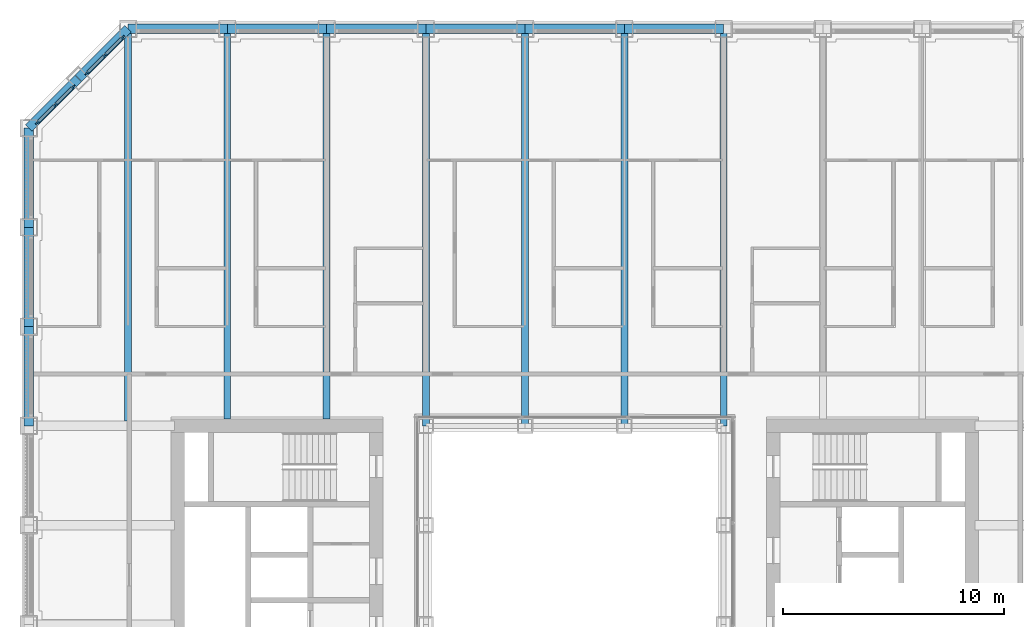
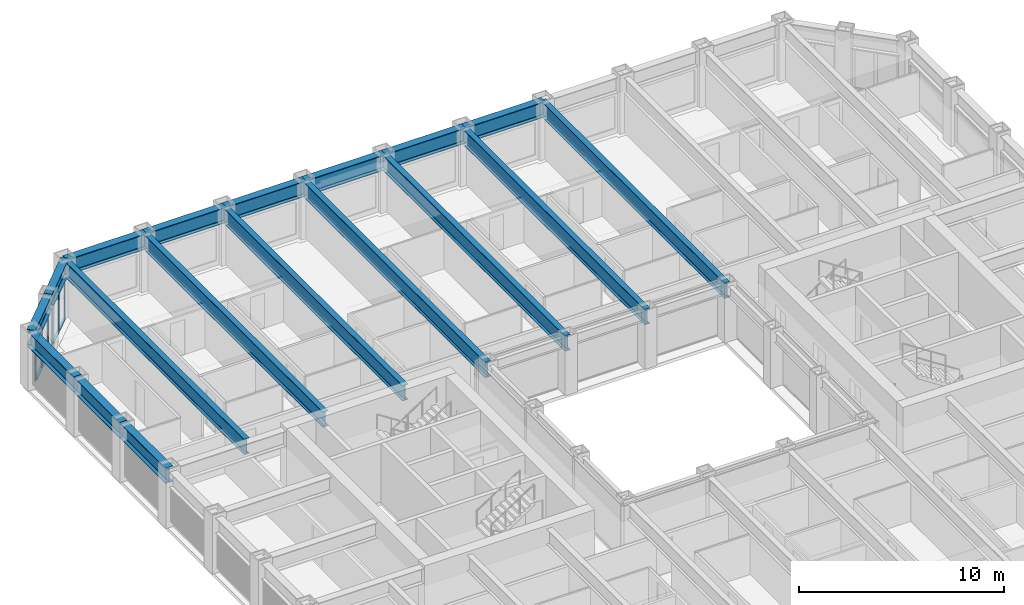
# One storey, part 6 of 20: 18 beams, 14 members, 2 elements without a shape of their own.
"""IFC4 building model written with IfcOpenShell, lengths in metres."""

from ifc_helpers import new_model, si_unit, direction, frame, origin, origin_2d, place, context, subcontext, project, spatial, rectangle, i_section, extrude, material, material_profile, profile_set, type_object, element, aggregate, save


model = new_model("IFC4")

# Units and contexts
model_context = context("Model", 3, precision=1e-05, world=origin(), true_north=direction((0.0, 1.0)))
body_context = subcontext(model_context, "Body", "Model", "MODEL_VIEW")
ifc_project = project(units=[si_unit("LENGTHUNIT", "METRE"), si_unit("AREAUNIT", "SQUARE_METRE"), si_unit("VOLUMEUNIT", "CUBIC_METRE"), si_unit("PLANEANGLEUNIT", "RADIAN"), si_unit("MASSUNIT", "GRAM", prefix="KILO")], contexts=[model_context])

# Site, building, storey
site_placement = place(None, origin())
site = spatial("IfcSite", under=ifc_project, at=site_placement, CompositionType="ELEMENT")
building_placement = place(site_placement, origin())
building = spatial("IfcBuilding", under=site, at=building_placement, Name="Msasa Ring Tower", CompositionType="ELEMENT")
storey_placement = place(building_placement, frame((0.0, 0.0, 58.0)))
storey = spatial("IfcBuildingStorey", under=building, at=storey_placement, Name="L14", CompositionType="ELEMENT", Elevation=58.0)

# Curtain wall, members
ifc_material_1 = material(Name="Aluminium curtain wall with clear glass", Category="aluminium")
curtain_wall_type = type_object("IfcCurtainWallType", Name="CW-C CHAMFER CORNER CURTAIN WALL", PredefinedType="NOTDEFINED", material=ifc_material_1)
curtain_wall_1_placement = place(storey_placement, origin())
curtain_wall_1 = element("IfcCurtainWall", 1, at=curtain_wall_1_placement, inside=storey, type_object=curtain_wall_type, Name="Chamfer corner curtain wall NW L14", PredefinedType="NOTDEFINED")
ifc_material_2 = material(Name="Aluminium mullion", Category="aluminium")
ifc_material_profile_1 = material_profile(ifc_material_2, rectangle(XDim=0.06494140625, YDim=0.179931640625, at=origin_2d()), Name="AL 65x180")
ifc_profile_set_1 = profile_set([ifc_material_profile_1], Name="Aluminium mullion")
member_type_1 = type_object("IfcMemberType", Name="CW-C MULLION 65x180", PredefinedType="MULLION", material=ifc_profile_set_1)
member_1_placement = place(storey_placement, frame((-22.73876953125, 22.119873046875, 0.0), z_axis=(0.0, 0.0, 1.0), x_axis=(0.707106781187, -0.707106781187, 0.0)))
member_1 = element("IfcMember", 2, at=member_1_placement, type_object=member_type_1, Name="CW-C mullion 1", PredefinedType="MULLION", context=body_context, shape_type="SweptSolid", body=[
    extrude(rectangle(XDim=0.06494140625, YDim=0.179931640625, at=origin_2d()), origin(), (0.0, 0.0, 1.0), 2.37890625),
])
member_2_placement = place(storey_placement, frame((-23.55419921875, 21.30419921875, 0.0), z_axis=(0.0, 0.0, 1.0), x_axis=(0.707106781187, -0.707106781187, 0.0)))
member_2 = element("IfcMember", 3, at=member_2_placement, type_object=member_type_1, Name="CW-C mullion 2", PredefinedType="MULLION", context=body_context, shape_type="SweptSolid", body=[
    extrude(rectangle(XDim=0.06494140625, YDim=0.179931640625, at=origin_2d()), origin(), (0.0, 0.0, 1.0), 2.37890625),
])
member_3_placement = place(storey_placement, frame((-24.369873046875, 20.48876953125, 0.0), z_axis=(0.0, 0.0, 1.0), x_axis=(0.707106781187, -0.707106781187, 0.0)))
member_3 = element("IfcMember", 4, at=member_3_placement, type_object=member_type_1, Name="CW-C mullion 3", PredefinedType="MULLION", context=body_context, shape_type="SweptSolid", body=[
    extrude(rectangle(XDim=0.06494140625, YDim=0.179931640625, at=origin_2d()), origin(), (0.0, 0.0, 1.0), 2.37890625),
])

curtain_wall_2_placement = place(storey_placement, origin())
curtain_wall_2 = element("IfcCurtainWall", 5, at=curtain_wall_2_placement, inside=storey, type_object=curtain_wall_type, Name="Chamfer corner curtain wall NW L14", PredefinedType="NOTDEFINED")
member_4_placement = place(storey_placement, frame((-20.48876953125, 24.369873046875, 0.0), z_axis=(0.0, 0.0, 1.0), x_axis=(0.707106781187, -0.707106781187, 0.0)))
member_4 = element("IfcMember", 6, at=member_4_placement, type_object=member_type_1, Name="CW-C mullion 1", PredefinedType="MULLION", context=body_context, shape_type="SweptSolid", body=[
    extrude(rectangle(XDim=0.06494140625, YDim=0.179931640625, at=origin_2d()), origin(), (0.0, 0.0, 1.0), 2.37890625),
])
member_5_placement = place(storey_placement, frame((-21.30419921875, 23.55419921875, 0.0), z_axis=(0.0, 0.0, 1.0), x_axis=(0.707106781187, -0.707106781187, 0.0)))
member_5 = element("IfcMember", 7, at=member_5_placement, type_object=member_type_1, Name="CW-C mullion 2", PredefinedType="MULLION", context=body_context, shape_type="SweptSolid", body=[
    extrude(rectangle(XDim=0.06494140625, YDim=0.179931640625, at=origin_2d()), origin(), (0.0, 0.0, 1.0), 2.37890625),
])
member_6_placement = place(storey_placement, frame((-22.119873046875, 22.73876953125, 0.0), z_axis=(0.0, 0.0, 1.0), x_axis=(0.707106781187, -0.707106781187, 0.0)))
member_6 = element("IfcMember", 8, at=member_6_placement, type_object=member_type_1, Name="CW-C mullion 3", PredefinedType="MULLION", context=body_context, shape_type="SweptSolid", body=[
    extrude(rectangle(XDim=0.06494140625, YDim=0.179931640625, at=origin_2d()), origin(), (0.0, 0.0, 1.0), 2.37890625),
])

# Member
ifc_material_3 = material(Name="Aluminium transom", Category="aluminium")
ifc_material_profile_2 = material_profile(ifc_material_3, rectangle(XDim=0.139892578125, YDim=0.06494140625, at=origin_2d()), Name="AL 65x140")
ifc_profile_set_2 = profile_set([ifc_material_profile_2], Name="Aluminium transom")
member_type_2 = type_object("IfcMemberType", Name="CW-C TRANSOM 65x140", PredefinedType="USERDEFINED", material=ifc_profile_set_2)
member_7_placement = place(storey_placement, frame((-22.76171875, 22.096923828125, 0.032470703125), z_axis=(-0.707106781187, -0.707106781187, 0.0), x_axis=(0.707106781187, -0.707106781187, 0.0)))
member_7 = element("IfcMember", 9, at=member_7_placement, type_object=member_type_2, Name="CW-C transom 1.1", ObjectType="TRANSOM", PredefinedType="USERDEFINED", context=body_context, shape_type="SweptSolid", body=[
    extrude(rectangle(XDim=0.139892578125, YDim=0.06494140625, at=origin_2d()), origin(), (0.0, 0.0, 1.0), 1.08837890625),
])

member_8_placement = place(storey_placement, frame((-22.76171875, 22.096923828125, 2.346435546875), z_axis=(-0.707106781187, -0.707106781187, 0.0), x_axis=(0.707106781187, -0.707106781187, 0.0)))
member_8 = element("IfcMember", 10, at=member_8_placement, type_object=member_type_2, Name="CW-C transom 1.2", ObjectType="TRANSOM", PredefinedType="USERDEFINED", context=body_context, shape_type="SweptSolid", body=[
    extrude(rectangle(XDim=0.139892578125, YDim=0.06494140625, at=origin_2d()), origin(), (0.0, 0.0, 1.0), 1.08837890625),
])

member_9_placement = place(storey_placement, frame((-23.577392578125, 21.28125, 0.032470703125), z_axis=(-0.707106781187, -0.707106781187, 0.0), x_axis=(0.707106781187, -0.707106781187, 0.0)))
member_9 = element("IfcMember", 11, at=member_9_placement, type_object=member_type_2, Name="CW-C transom 2.1", ObjectType="TRANSOM", PredefinedType="USERDEFINED", context=body_context, shape_type="SweptSolid", body=[
    extrude(rectangle(XDim=0.139892578125, YDim=0.06494140625, at=origin_2d()), origin(), (0.0, 0.0, 1.0), 1.08837890625),
])

member_10_placement = place(storey_placement, frame((-23.577392578125, 21.28125, 2.346435546875), z_axis=(-0.707106781187, -0.707106781187, 0.0), x_axis=(0.707106781187, -0.707106781187, 0.0)))
member_10 = element("IfcMember", 12, at=member_10_placement, type_object=member_type_2, Name="CW-C transom 2.2", ObjectType="TRANSOM", PredefinedType="USERDEFINED", context=body_context, shape_type="SweptSolid", body=[
    extrude(rectangle(XDim=0.139892578125, YDim=0.06494140625, at=origin_2d()), origin(), (0.0, 0.0, 1.0), 1.08837890625),
])

aggregate(curtain_wall_1, [member_1, member_2, member_3, member_7, member_8, member_9, member_10])

member_11_placement = place(storey_placement, frame((-20.51171875, 24.346923828125, 0.032470703125), z_axis=(-0.707106781187, -0.707106781187, 0.0), x_axis=(0.707106781187, -0.707106781187, 0.0)))
member_11 = element("IfcMember", 13, at=member_11_placement, type_object=member_type_2, Name="CW-C transom 1.1", ObjectType="TRANSOM", PredefinedType="USERDEFINED", context=body_context, shape_type="SweptSolid", body=[
    extrude(rectangle(XDim=0.139892578125, YDim=0.06494140625, at=origin_2d()), origin(), (0.0, 0.0, 1.0), 1.08837890625),
])

member_12_placement = place(storey_placement, frame((-20.51171875, 24.346923828125, 2.346435546875), z_axis=(-0.707106781187, -0.707106781187, 0.0), x_axis=(0.707106781187, -0.707106781187, 0.0)))
member_12 = element("IfcMember", 14, at=member_12_placement, type_object=member_type_2, Name="CW-C transom 1.2", ObjectType="TRANSOM", PredefinedType="USERDEFINED", context=body_context, shape_type="SweptSolid", body=[
    extrude(rectangle(XDim=0.139892578125, YDim=0.06494140625, at=origin_2d()), origin(), (0.0, 0.0, 1.0), 1.08837890625),
])

member_13_placement = place(storey_placement, frame((-21.327392578125, 23.53125, 0.032470703125), z_axis=(-0.707106781187, -0.707106781187, 0.0), x_axis=(0.707106781187, -0.707106781187, 0.0)))
member_13 = element("IfcMember", 15, at=member_13_placement, type_object=member_type_2, Name="CW-C transom 2.1", ObjectType="TRANSOM", PredefinedType="USERDEFINED", context=body_context, shape_type="SweptSolid", body=[
    extrude(rectangle(XDim=0.139892578125, YDim=0.06494140625, at=origin_2d()), origin(), (0.0, 0.0, 1.0), 1.08837890625),
])

member_14_placement = place(storey_placement, frame((-21.327392578125, 23.53125, 2.346435546875), z_axis=(-0.707106781187, -0.707106781187, 0.0), x_axis=(0.707106781187, -0.707106781187, 0.0)))
member_14 = element("IfcMember", 16, at=member_14_placement, type_object=member_type_2, Name="CW-C transom 2.2", ObjectType="TRANSOM", PredefinedType="USERDEFINED", context=body_context, shape_type="SweptSolid", body=[
    extrude(rectangle(XDim=0.139892578125, YDim=0.06494140625, at=origin_2d()), origin(), (0.0, 0.0, 1.0), 1.08837890625),
])

aggregate(curtain_wall_2, [member_4, member_5, member_6, member_11, member_12, member_13, member_14])

# Beams
ifc_material_4 = material(Name="Steel S355", Category="steel")
ifc_material_profile_3 = material_profile(ifc_material_4, i_section(OverallWidth=0.3076171875, OverallDepth=0.926513671875, WebThickness=0.01953125, FlangeThickness=0.031982421875, FilletRadius=0.01904296875, at=origin_2d()), Name="UB 914x305x289")
ifc_profile_set_3 = profile_set([ifc_material_profile_3], Name="Steel S355")
beam_type_1 = type_object("IfcBeamType", Name="FB3 UB 914x305x289", PredefinedType="BEAM", material=ifc_profile_set_3)
beam_placement = place(storey_placement, frame((-20.25, 24.75, 2.836669921875), z_axis=(0.0, -1.0, 0.0), x_axis=(1.0, 0.0, 0.0)))
element("IfcBeam", 17, at=beam_placement, inside=storey, type_object=beam_type_1, Name="Floor beam N-20.25 under L15", PredefinedType="BEAM", context=body_context, shape_type="SweptSolid", body=[
    extrude(i_section(OverallWidth=0.3076171875, OverallDepth=0.926513671875, WebThickness=0.01953125, FlangeThickness=0.031982421875, FilletRadius=0.01904296875, at=origin_2d()), origin(), (0.0, 0.0, 1.0), 17.789794921875),
])
for number, where, z_axis, x_axis, name in (
    (18, (-15.75, 24.75, 2.836669921875), (0.0, -1.0, 0.0), (1.0, 0.0, 0.0), "Floor beam N-15.75 under L15"),
    (19, (-11.25, 24.75, 2.836669921875), (0.0, -1.0, 0.0), (1.0, 0.0, 0.0), "Floor beam N-11.25 under L15"),
):
    element("IfcBeam", number, at=place(storey_placement, frame(where, z_axis=z_axis, x_axis=x_axis)), inside=storey, type_object=beam_type_1, Name=name, PredefinedType="BEAM", context=body_context, shape_type="SweptSolid", body=[
        extrude(i_section(OverallWidth=0.3076171875, OverallDepth=0.926513671875, WebThickness=0.01953125, FlangeThickness=0.031982421875, FilletRadius=0.01904296875, at=origin_2d()), origin(), (0.0, 0.0, 1.0), 17.699951171875),
    ])
for number, where, z_axis, x_axis, name in (
    (20, (-6.75, 24.75, 2.836669921875), (0.0, -1.0, 0.0), (1.0, 0.0, 0.0), "Floor beam N-6.75 under L15"),
    (21, (-2.25, 24.75, 2.836669921875), (0.0, -1.0, 0.0), (1.0, 0.0, 0.0), "Floor beam N-2.25 under L15"),
    (22, (2.25, 24.75, 2.836669921875), (0.0, -1.0, 0.0), (1.0, 0.0, 0.0), "Floor beam N+2.25 under L15"),
    (23, (6.75, 24.75, 2.836669921875), (0.0, -1.0, 0.0), (1.0, 0.0, 0.0), "Floor beam N+6.75 under L15"),
):
    element("IfcBeam", number, at=place(storey_placement, frame(where, z_axis=z_axis, x_axis=x_axis)), inside=storey, type_object=beam_type_1, Name=name, PredefinedType="BEAM", context=body_context, shape_type="SweptSolid", body=[
        extrude(i_section(OverallWidth=0.3076171875, OverallDepth=0.926513671875, WebThickness=0.01953125, FlangeThickness=0.031982421875, FilletRadius=0.01904296875, at=origin_2d()), origin(), (0.0, 0.0, 1.0), 18.0),
    ])
ifc_material_5 = material(Name="Steel S355", Category="steel")
ifc_material_profile_4 = material_profile(ifc_material_5, i_section(OverallWidth=0.42041015625, OverallDepth=0.9208984375, WebThickness=0.021484375, FlangeThickness=0.03662109375, FilletRadius=0.024169921875, at=origin_2d()), Name="UB 914x419x388")
ifc_profile_set_4 = profile_set([ifc_material_profile_4], Name="Steel S355")
beam_type_2 = type_object("IfcBeamType", Name="SB1 UB 914x419x388", PredefinedType="SPANDREL", material=ifc_profile_set_4)
for number, where, z_axis, x_axis, name in (
    (24, (6.75, 24.75, 2.839599609375), (-1.0, 0.0, 0.0), (0.0, -1.0, 0.0), "Spandrel N+6.75 to N+2.25 under L15"),
    (25, (2.25, 24.75, 2.839599609375), (-1.0, 0.0, 0.0), (0.0, -1.0, 0.0), "Spandrel N+2.25 to N-2.25 under L15"),
    (26, (-2.25, 24.75, 2.839599609375), (-1.0, 0.0, 0.0), (0.0, -1.0, 0.0), "Spandrel N-2.25 to N-6.75 under L15"),
    (27, (-6.75, 24.75, 2.839599609375), (-1.0, 0.0, 0.0), (0.0, -1.0, 0.0), "Spandrel N-6.75 to N-11.25 under L15"),
    (28, (-11.25, 24.75, 2.839599609375), (-1.0, 0.0, 0.0), (0.0, -1.0, 0.0), "Spandrel N-11.25 to N-15.75 under L15"),
    (29, (-15.75, 24.75, 2.839599609375), (-1.0, 0.0, 0.0), (0.0, -1.0, 0.0), "Spandrel N-15.75 to N-20.25 under L15"),
):
    element("IfcBeam", number, at=place(storey_placement, frame(where, z_axis=z_axis, x_axis=x_axis)), inside=storey, type_object=beam_type_2, Name=name, PredefinedType="SPANDREL", context=body_context, shape_type="SweptSolid", body=[
        extrude(i_section(OverallWidth=0.42041015625, OverallDepth=0.9208984375, WebThickness=0.021484375, FlangeThickness=0.03662109375, FilletRadius=0.024169921875, at=origin_2d()), origin(), (0.0, 0.0, 1.0), 4.5),
    ])
for number, where, z_axis, x_axis, name in (
    (30, (-20.25, 24.75, 2.839599609375), (-0.707106781187, -0.707106781187, 0.0), (0.707106781187, -0.707106781187, 0.0), "Spandrel N-20.25 to NW under L15"),
    (31, (-22.5, 22.5, 2.839599609375), (-0.707106781187, -0.707106781187, 0.0), (0.707106781187, -0.707106781187, 0.0), "Spandrel NW to W+20.25 under L15"),
):
    element("IfcBeam", number, at=place(storey_placement, frame(where, z_axis=z_axis, x_axis=x_axis)), inside=storey, type_object=beam_type_2, Name=name, PredefinedType="SPANDREL", context=body_context, shape_type="SweptSolid", body=[
        extrude(i_section(OverallWidth=0.42041015625, OverallDepth=0.9208984375, WebThickness=0.021484375, FlangeThickness=0.03662109375, FilletRadius=0.024169921875, at=origin_2d()), origin(), (0.0, 0.0, 1.0), 3.181884765625),
    ])
for number, where, z_axis, x_axis, name in (
    (32, (-24.75, 20.25, 2.839599609375), (0.0, -1.0, 0.0), (1.0, 0.0, 0.0), "Spandrel W+20.25 to W+15.75 under L15"),
    (33, (-24.75, 15.75, 2.839599609375), (0.0, -1.0, 0.0), (1.0, 0.0, 0.0), "Spandrel W+15.75 to W+11.25 under L15"),
    (34, (-24.75, 11.25, 2.839599609375), (0.0, -1.0, 0.0), (1.0, 0.0, 0.0), "Spandrel W+11.25 to W+6.75 under L15"),
):
    element("IfcBeam", number, at=place(storey_placement, frame(where, z_axis=z_axis, x_axis=x_axis)), inside=storey, type_object=beam_type_2, Name=name, PredefinedType="SPANDREL", context=body_context, shape_type="SweptSolid", body=[
        extrude(i_section(OverallWidth=0.42041015625, OverallDepth=0.9208984375, WebThickness=0.021484375, FlangeThickness=0.03662109375, FilletRadius=0.024169921875, at=origin_2d()), origin(), (0.0, 0.0, 1.0), 4.5),
    ])

save(model, "model.ifc")
